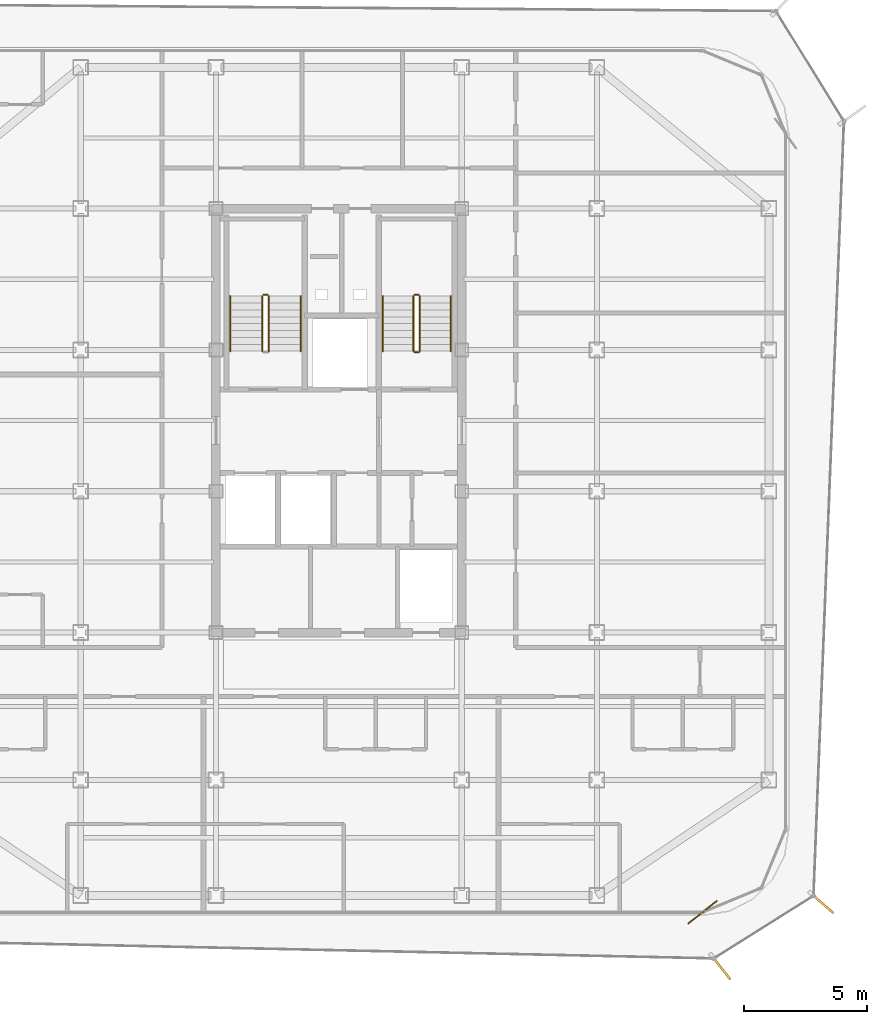
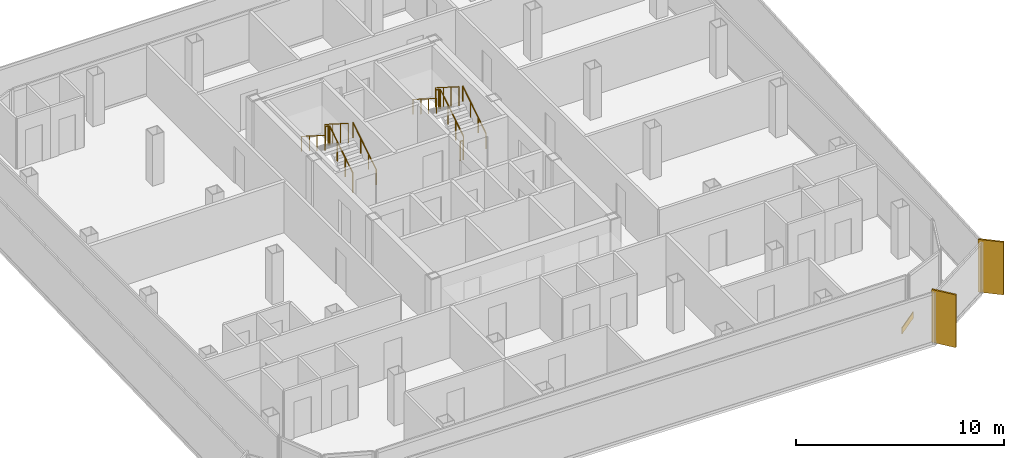
# One storey, part 14 of 15: 11 railings, 2 shading devices, 1 covering.
"""IFC4 building model written with IfcOpenShell, lengths in metres."""

import ifcopenshell
import ifcopenshell.guid

model = None  # the IFC model being written
_history = None  # IfcOwnerHistory: only IFC2X3 demands one
_inside = {}  # id of a spatial element -> (the spatial element, [elements in it])
_under = {}  # id of a project, library or spatial element -> (it, [spatial elements below it])
_declared = {}  # id of a project -> (the project, [libraries it declares])
_typed = {}  # id of a type object -> (the type object, [elements of that type])
_made_of = {}  # id of a material, layer set ... -> (it, [elements and type objects made of it])


def new_model(schema):
    """Start an empty IFC model of exactly this schema.

    Asked for "IFC4X3", IfcOpenShell would pick the latest addendum, in which some entities
    have other attributes; the version numbers below select the first issue.
    IFC2X3 requires an IfcOwnerHistory on every rooted entity: one is made here for all.
    """
    global model, _history
    if schema == "IFC4X3":
        model = ifcopenshell.file(schema_version=(4, 3, 0, 0))
    else:
        model = ifcopenshell.file(schema=schema)
    _inside.clear()
    _under.clear()
    _declared.clear()
    _typed.clear()
    _made_of.clear()
    _history = None
    if model.schema == "IFC2X3":
        org = make("IfcOrganization", Name="unknown")
        user = make(
            "IfcPersonAndOrganization",
            ThePerson=make("IfcPerson", FamilyName="unknown"),
            TheOrganization=org,
        )
        app = make(
            "IfcApplication",
            ApplicationDeveloper=org,
            Version="unknown",
            ApplicationFullName="unknown",
            ApplicationIdentifier="unknown",
        )
        _history = make(
            "IfcOwnerHistory",
            OwningUser=user,
            OwningApplication=app,
            ChangeAction="ADDED",
            CreationDate=0,
        )
    return model


def make(cls, **values):
    """One entity of the class cls with the attributes given. An attribute that is None is left unset."""
    return model.create_entity(
        cls, **{name: value for name, value in values.items() if value is not None}
    )


def rooted(cls, **values):
    """An entity with a GlobalId (a new one), such as an element, a storey or a relation."""
    return make(cls, GlobalId=ifcopenshell.guid.new(), OwnerHistory=_history, **values)


def si_unit(unit_type, name, prefix=None):
    """IfcSIUnit, for example si_unit("LENGTHUNIT", "METRE", prefix="MILLI")."""
    return make("IfcSIUnit", UnitType=unit_type, Prefix=prefix, Name=name)


def assignment(units):
    """IfcUnitAssignment: the units of a project."""
    return None if units is None else make("IfcUnitAssignment", Units=units)


def point(xyz):
    """IfcCartesianPoint."""
    return None if xyz is None else make("IfcCartesianPoint", Coordinates=xyz)


def direction(xyz):
    """IfcDirection."""
    return None if xyz is None else make("IfcDirection", DirectionRatios=xyz)


def frame(location, z_axis=None, x_axis=None):
    """IfcAxis2Placement3D, a coordinate frame: its origin and axes. An axis left out is left unset."""
    return make(
        "IfcAxis2Placement3D",
        Location=point(location),
        Axis=direction(z_axis),
        RefDirection=direction(x_axis),
    )


def frame_2d(location, x_axis=None):
    """IfcAxis2Placement2D, a coordinate frame in the plane: its origin and x axis."""
    return make(
        "IfcAxis2Placement2D", Location=point(location), RefDirection=direction(x_axis)
    )


def origin():
    """The frame at (0, 0, 0) with its axes left unset."""
    return frame((0.0, 0.0, 0.0))


def origin_2d():
    """The frame at (0, 0) in the plane with its x axis left unset."""
    return frame_2d((0.0, 0.0))


def place(relative_to, where):
    """IfcLocalPlacement: puts the frame where relative to a parent placement (None: the world)."""
    return make(
        "IfcLocalPlacement", PlacementRelTo=relative_to, RelativePlacement=where
    )


def context(
    kind, dimensions, precision=None, world=None, true_north=None, identifier=None
):
    """IfcGeometricRepresentationContext, for example the 3D "Model" context."""
    return make(
        "IfcGeometricRepresentationContext",
        ContextIdentifier=identifier,
        ContextType=kind,
        CoordinateSpaceDimension=dimensions,
        Precision=precision,
        WorldCoordinateSystem=world,
        TrueNorth=true_north,
    )


def subcontext(parent, identifier, kind, view, scale=None):
    """IfcGeometricRepresentationSubContext, for example "Body" below "Model"."""
    return make(
        "IfcGeometricRepresentationSubContext",
        ContextIdentifier=identifier,
        ContextType=kind,
        ParentContext=parent,
        TargetScale=scale,
        TargetView=view,
    )


def project(units=None, contexts=None):
    """IfcProject with its units and contexts."""
    return rooted(
        "IfcProject",
        Name="project",
        RepresentationContexts=contexts,
        UnitsInContext=assignment(units),
    )


def spatial(cls, under=None, at=None, **own):
    """A site, building, storey or space (cls), placed at a placement, below another one or the project."""
    s = rooted(cls, ObjectPlacement=at, **own)
    if under is not None:
        _under.setdefault(under.id(), (under, []))[1].append(s)
    return s


def profile(cls, at=None, kind="AREA", **sizes):
    """A parametric profile (cls). Its sizes go by their IFC names, for example OverallWidth=200.0."""
    return make(cls, ProfileType=kind, Position=at, **sizes)


def rectangle(**sizes):
    """IfcRectangleProfileDef."""
    return profile("IfcRectangleProfileDef", **sizes)


def circle(**sizes):
    """IfcCircleProfileDef."""
    return profile("IfcCircleProfileDef", **sizes)


def extrude(swept, where, along, depth):
    """IfcExtrudedAreaSolid: the profile swept, set in the frame where, extruded along a direction by depth."""
    return make(
        "IfcExtrudedAreaSolid",
        SweptArea=swept,
        Position=where,
        ExtrudedDirection=direction(along),
        Depth=depth,
    )


def shape(context_of_items, identifier, shape_type, items):
    """IfcShapeRepresentation: the items that make up one representation, for example the "Body"."""
    return make(
        "IfcShapeRepresentation",
        ContextOfItems=context_of_items,
        RepresentationIdentifier=identifier,
        RepresentationType=shape_type,
        Items=items,
    )


def source(mapping_origin, context_of_items, identifier, shape_type, items):
    """IfcRepresentationMap: a shape defined once, which mapped items show again and again."""
    return make(
        "IfcRepresentationMap",
        MappingOrigin=mapping_origin,
        MappedRepresentation=shape(context_of_items, identifier, shape_type, items),
    )


def transform(
    local_origin,
    x_axis=None,
    y_axis=None,
    z_axis=None,
    scale=None,
    scale2=None,
    scale3=None,
    uniform=True,
):
    """IfcCartesianTransformationOperator3D, or its non-uniform kind. x_axis, y_axis, z_axis: its Axis1, 2, 3."""
    if uniform:
        return make(
            "IfcCartesianTransformationOperator3D",
            Axis1=direction(x_axis),
            Axis2=direction(y_axis),
            LocalOrigin=point(local_origin),
            Scale=scale,
            Axis3=direction(z_axis),
        )
    return make(
        "IfcCartesianTransformationOperator3DnonUniform",
        Axis1=direction(x_axis),
        Axis2=direction(y_axis),
        LocalOrigin=point(local_origin),
        Scale=scale,
        Axis3=direction(z_axis),
        Scale2=scale2,
        Scale3=scale3,
    )


def mapped(mapping_source, mapping_target):
    """IfcMappedItem: shows the shape of a source again, moved by a transform."""
    return make(
        "IfcMappedItem", MappingSource=mapping_source, MappingTarget=mapping_target
    )


def material(Name=None, Category=None):
    """IfcMaterial."""
    return make("IfcMaterial", Name=Name, Category=Category)


def layer(
    of_material, thickness, ventilated=None, Name=None, Category=None, Priority=None
):
    """IfcMaterialLayer: one layer of a wall or slab, of a material (None: an air gap)."""
    return make(
        "IfcMaterialLayer",
        Material=of_material,
        LayerThickness=thickness,
        IsVentilated=ventilated,
        Name=Name,
        Category=Category,
        Priority=Priority,
    )


def layer_set(layers, Name=None):
    """IfcMaterialLayerSet."""
    return make("IfcMaterialLayerSet", MaterialLayers=layers, LayerSetName=Name)


def made_of(thing, what):
    """Note that an element or type object is made of a material, layer set ...; save() writes the relation."""
    if what is not None:
        _made_of.setdefault(what.id(), (what, []))[1].append(thing)
    return thing


def type_object(cls, material=None, **own):
    """A type object (cls), such as IfcWallType, which elements share."""
    return made_of(rooted(cls, **own), material)


def element(
    cls,
    number,
    at=None,
    inside=None,
    cuts=None,
    type_object=None,
    material=None,
    context=None,
    identifier="Body",
    shape_type=None,
    held_by="IfcProductDefinitionShape",
    body=None,
    shapes=None,
    **own,
):
    """One element of the class cls, such as IfcWall. Its Tag is "e" and its number.

    at: its placement. inside: the storey or other place that contains it. cuts: it is an
    opening in that element (IfcRelVoidsElement). A single representation is given by context,
    identifier, shape_type and body (its items); several are given by shapes. held_by: the class
    of the entity that holds the representations. save() writes the other relations.
    """
    e = rooted(cls, Tag="e%d" % number, ObjectPlacement=at, **own)
    if body is not None:
        shapes = [shape(context, identifier, shape_type, body)]
    if shapes is not None:
        e.Representation = make(held_by, Representations=shapes)
    if inside is not None:
        _inside.setdefault(inside.id(), (inside, []))[1].append(e)
    if cuts is not None:
        rooted(
            "IfcRelVoidsElement", RelatingBuildingElement=cuts, RelatedOpeningElement=e
        )
    if type_object is not None:
        _typed.setdefault(type_object.id(), (type_object, []))[1].append(e)
    return made_of(e, material)


def aggregate(whole, parts):
    """IfcRelAggregates: a whole, such as a stair, and the parts it consists of."""
    return rooted("IfcRelAggregates", RelatingObject=whole, RelatedObjects=parts)


def save(model, path):
    """Write the relations noted so far, then the file.

    IfcRelAggregates (storeys below a building ...), IfcRelContainedInSpatialStructure (elements
    in a storey), IfcRelDefinesByType, IfcRelAssociatesMaterial and IfcRelDeclares: one each for
    every whole, place, type object, material and project.
    """
    for whole, parts in _under.values():
        aggregate(whole, parts)
    for where, things in _inside.values():
        rooted(
            "IfcRelContainedInSpatialStructure",
            RelatedElements=things,
            RelatingStructure=where,
        )
    for kind, things in _typed.values():
        rooted("IfcRelDefinesByType", RelatedObjects=things, RelatingType=kind)
    for what, things in _made_of.values():
        rooted("IfcRelAssociatesMaterial", RelatedObjects=things, RelatingMaterial=what)
    for by, libraries in _declared.values():
        rooted("IfcRelDeclares", RelatingContext=by, RelatedDefinitions=libraries)
    model.write(path)


model = new_model("IFC4")

# Units and contexts
model_context = context("Model", 3, precision=1e-05, world=origin(), true_north=direction((0.0, 1.0)))
body_context = subcontext(model_context, "Body", "Model", "MODEL_VIEW")
ifc_project = project(units=[si_unit("LENGTHUNIT", "METRE"), si_unit("AREAUNIT", "SQUARE_METRE"), si_unit("VOLUMEUNIT", "CUBIC_METRE"), si_unit("PLANEANGLEUNIT", "RADIAN"), si_unit("MASSUNIT", "GRAM", prefix="KILO")], contexts=[model_context])

# Site, building, storey
site_placement = place(None, origin())
site = spatial("IfcSite", under=ifc_project, at=site_placement, CompositionType="ELEMENT")
building_placement = place(site_placement, origin())
building = spatial("IfcBuilding", under=site, at=building_placement, Name="Kolveth Station Tower", CompositionType="ELEMENT")
storey_placement = place(building_placement, frame((0.0, 0.0, 223.300048828125)))
storey = spatial("IfcBuildingStorey", under=building, at=storey_placement, Name="L63", CompositionType="ELEMENT", Elevation=223.300048828125)

# Railings
ifc_material_1 = material(Name="Painted Steel S355 balustrade", Category="steel")
railing_type_1 = type_object("IfcRailingType", Name="Guard_GR2", PredefinedType="BALUSTRADE", material=ifc_material_1)
railing_1_placement = place(storey_placement, frame((20.64990234375, 22.949951171875, 0.177734375)))
element("IfcRailing", 1, at=railing_1_placement, inside=storey, type_object=railing_type_1, Name="L63 ST1 stair guard 1", PredefinedType="BALUSTRADE", context=body_context, shape_type="SweptSolid", body=[
    extrude(circle(Radius=0.02392578125, at=origin_2d()), frame((0.0, 0.0, 1.1259765625), z_axis=(0.0, 0.8442293374, 0.53598211339), x_axis=(-1.0, 0.0, 0.0)), (0.0, 0.0, 1.0), 2.6533203125),
    extrude(circle(Radius=0.02099609375, at=origin_2d()), origin(), (0.0, 0.0, 1.0), 1.101806640625),
    extrude(circle(Radius=0.02099609375, at=origin_2d()), frame((0.0, 0.74658203125, 0.47412109375)), (0.0, 0.0, 1.0), 1.101806640625),
    extrude(circle(Radius=0.02099609375, at=origin_2d()), frame((0.0, 1.493408203125, 0.947998046875)), (0.0, 0.0, 1.0), 1.101806640625),
    extrude(circle(Radius=0.02099609375, at=origin_2d()), frame((0.0, 2.239990234375, 1.422119140625)), (0.0, 0.0, 1.0), 1.101806640625),
])
railing_2_placement = place(storey_placement, frame((20.60009765625, 25.239990234375, 1.599853515625)))
element("IfcRailing", 2, at=railing_2_placement, inside=storey, type_object=railing_type_1, Name="L63 ST1 stair guard 2", PredefinedType="BALUSTRADE", context=body_context, shape_type="SweptSolid", body=[
    extrude(circle(Radius=0.02392578125, at=origin_2d()), frame((0.0, 0.0, 1.1259765625), z_axis=(-1.0, 0.0, 0.0), x_axis=(0.0, -1.0, 0.0)), (0.0, 0.0, 1.0), 0.16015625),
    extrude(circle(Radius=0.02099609375, at=origin_2d()), origin(), (0.0, 0.0, 1.0), 1.101806640625),
    extrude(circle(Radius=0.02099609375, at=origin_2d()), frame((-0.16015625, 0.0, 0.0)), (0.0, 0.0, 1.0), 1.101806640625),
])
railing_3_placement = place(storey_placement, frame((20.389892578125, 25.18994140625, 1.77783203125)))
element("IfcRailing", 3, at=railing_3_placement, inside=storey, type_object=railing_type_1, Name="L63 ST1 stair guard 3", PredefinedType="BALUSTRADE", context=body_context, shape_type="SweptSolid", body=[
    extrude(circle(Radius=0.02392578125, at=origin_2d()), frame((0.0, 0.0, 1.1259765625), z_axis=(0.0, -0.8442293374, 0.53598211339), x_axis=(1.0, 0.0, 0.0)), (0.0, 0.0, 1.0), 2.6533203125),
    extrude(circle(Radius=0.02099609375, at=origin_2d()), origin(), (0.0, 0.0, 1.0), 1.101806640625),
    extrude(circle(Radius=0.02099609375, at=origin_2d()), frame((0.0, -0.74658203125, 0.47412109375)), (0.0, 0.0, 1.0), 1.101806640625),
    extrude(circle(Radius=0.02099609375, at=origin_2d()), frame((0.0, -1.493408203125, 0.947998046875)), (0.0, 0.0, 1.0), 1.101806640625),
    extrude(circle(Radius=0.02099609375, at=origin_2d()), frame((0.0, -2.239990234375, 1.422119140625)), (0.0, 0.0, 1.0), 1.101806640625),
])
railing_4_placement = place(storey_placement, frame((26.800048828125, 22.949951171875, 0.177734375)))
element("IfcRailing", 4, at=railing_4_placement, inside=storey, type_object=railing_type_1, Name="L63 ST2 stair guard 1", PredefinedType="BALUSTRADE", context=body_context, shape_type="SweptSolid", body=[
    extrude(circle(Radius=0.02392578125, at=origin_2d()), frame((0.0, 0.0, 1.1259765625), z_axis=(0.0, 0.8442293374, 0.53598211339), x_axis=(-1.0, 0.0, 0.0)), (0.0, 0.0, 1.0), 2.6533203125),
    extrude(circle(Radius=0.02099609375, at=origin_2d()), origin(), (0.0, 0.0, 1.0), 1.101806640625),
    extrude(circle(Radius=0.02099609375, at=origin_2d()), frame((0.0, 0.74658203125, 0.47412109375)), (0.0, 0.0, 1.0), 1.101806640625),
    extrude(circle(Radius=0.02099609375, at=origin_2d()), frame((0.0, 1.493408203125, 0.947998046875)), (0.0, 0.0, 1.0), 1.101806640625),
    extrude(circle(Radius=0.02099609375, at=origin_2d()), frame((0.0, 2.239990234375, 1.422119140625)), (0.0, 0.0, 1.0), 1.101806640625),
])
railing_5_placement = place(storey_placement, frame((26.75, 25.239990234375, 1.599853515625)))
element("IfcRailing", 5, at=railing_5_placement, inside=storey, type_object=railing_type_1, Name="L63 ST2 stair guard 2", PredefinedType="BALUSTRADE", context=body_context, shape_type="SweptSolid", body=[
    extrude(circle(Radius=0.02392578125, at=origin_2d()), frame((0.0, 0.0, 1.1259765625), z_axis=(-1.0, 0.0, 0.0), x_axis=(0.0, -1.0, 0.0)), (0.0, 0.0, 1.0), 0.159912109375),
    extrude(circle(Radius=0.02099609375, at=origin_2d()), origin(), (0.0, 0.0, 1.0), 1.101806640625),
    extrude(circle(Radius=0.02099609375, at=origin_2d()), frame((-0.159912109375, 0.0, 0.0)), (0.0, 0.0, 1.0), 1.101806640625),
])
railing_6_placement = place(storey_placement, frame((26.5400390625, 25.18994140625, 1.77783203125)))
element("IfcRailing", 6, at=railing_6_placement, inside=storey, type_object=railing_type_1, Name="L63 ST2 stair guard 3", PredefinedType="BALUSTRADE", context=body_context, shape_type="SweptSolid", body=[
    extrude(circle(Radius=0.02392578125, at=origin_2d()), frame((0.0, 0.0, 1.1259765625), z_axis=(0.0, -0.8442293374, 0.53598211339), x_axis=(1.0, 0.0, 0.0)), (0.0, 0.0, 1.0), 2.6533203125),
    extrude(circle(Radius=0.02099609375, at=origin_2d()), origin(), (0.0, 0.0, 1.0), 1.101806640625),
    extrude(circle(Radius=0.02099609375, at=origin_2d()), frame((0.0, -0.74658203125, 0.47412109375)), (0.0, 0.0, 1.0), 1.101806640625),
    extrude(circle(Radius=0.02099609375, at=origin_2d()), frame((0.0, -1.493408203125, 0.947998046875)), (0.0, 0.0, 1.0), 1.101806640625),
    extrude(circle(Radius=0.02099609375, at=origin_2d()), frame((0.0, -2.239990234375, 1.422119140625)), (0.0, 0.0, 1.0), 1.101806640625),
])
railing_7_placement = place(storey_placement, frame((26.75, 22.89990234375, 0.0)))
element("IfcRailing", 7, at=railing_7_placement, inside=storey, type_object=railing_type_1, Name="L63 ST2 stair guard 4", PredefinedType="BALUSTRADE", context=body_context, shape_type="SweptSolid", body=[
    extrude(circle(Radius=0.02392578125, at=origin_2d()), frame((0.0, 0.0, 1.1259765625), z_axis=(-1.0, 0.0, 0.0), x_axis=(0.0, -1.0, 0.0)), (0.0, 0.0, 1.0), 0.159912109375),
    extrude(circle(Radius=0.02099609375, at=origin_2d()), origin(), (0.0, 0.0, 1.0), 1.101806640625),
    extrude(circle(Radius=0.02099609375, at=origin_2d()), frame((-0.159912109375, 0.0, 0.0)), (0.0, 0.0, 1.0), 1.101806640625),
])
ifc_material_2 = material(Name="Brushed stainless steel", Category="steel")
railing_type_2 = type_object("IfcRailingType", Name="Handrail_HR1", PredefinedType="HANDRAIL", material=ifc_material_2)
railing_8_placement = place(storey_placement, frame((21.949951171875, 22.949951171875, 0.177734375)))
element("IfcRailing", 8, at=railing_8_placement, inside=storey, type_object=railing_type_2, Name="L63 ST1 stair handrail 1", PredefinedType="HANDRAIL", context=body_context, shape_type="SweptSolid", body=[
    extrude(circle(Radius=0.02392578125, at=origin_2d()), frame((0.0, 0.0, 0.8759765625), z_axis=(0.0, 0.8442293374, 0.53598211339), x_axis=(-1.0, 0.0, 0.0)), (0.0, 0.0, 1.0), 2.6533203125),
    extrude(circle(Radius=0.02099609375, at=origin_2d()), origin(), (0.0, 0.0, 1.0), 0.851806640625),
    extrude(circle(Radius=0.02099609375, at=origin_2d()), frame((0.0, 0.74658203125, 0.47412109375)), (0.0, 0.0, 1.0), 0.851806640625),
    extrude(circle(Radius=0.02099609375, at=origin_2d()), frame((0.0, 1.493408203125, 0.947998046875)), (0.0, 0.0, 1.0), 0.851806640625),
    extrude(circle(Radius=0.02099609375, at=origin_2d()), frame((0.0, 2.239990234375, 1.422119140625)), (0.0, 0.0, 1.0), 0.851806640625),
])
railing_9_placement = place(storey_placement, frame((19.090087890625, 25.18994140625, 1.77783203125)))
element("IfcRailing", 9, at=railing_9_placement, inside=storey, type_object=railing_type_2, Name="L63 ST1 stair handrail 2", PredefinedType="HANDRAIL", context=body_context, shape_type="SweptSolid", body=[
    extrude(circle(Radius=0.02392578125, at=origin_2d()), frame((0.0, 0.0, 0.8759765625), z_axis=(0.0, -0.8442293374, 0.53598211339), x_axis=(1.0, 0.0, 0.0)), (0.0, 0.0, 1.0), 2.6533203125),
    extrude(circle(Radius=0.02099609375, at=origin_2d()), origin(), (0.0, 0.0, 1.0), 0.851806640625),
    extrude(circle(Radius=0.02099609375, at=origin_2d()), frame((0.0, -0.74658203125, 0.47412109375)), (0.0, 0.0, 1.0), 0.851806640625),
    extrude(circle(Radius=0.02099609375, at=origin_2d()), frame((0.0, -1.493408203125, 0.947998046875)), (0.0, 0.0, 1.0), 0.851806640625),
    extrude(circle(Radius=0.02099609375, at=origin_2d()), frame((0.0, -2.239990234375, 1.422119140625)), (0.0, 0.0, 1.0), 0.851806640625),
])
railing_10_placement = place(storey_placement, frame((28.050048828125, 22.949951171875, 0.177734375)))
element("IfcRailing", 10, at=railing_10_placement, inside=storey, type_object=railing_type_2, Name="L63 ST2 stair handrail 1", PredefinedType="HANDRAIL", context=body_context, shape_type="SweptSolid", body=[
    extrude(circle(Radius=0.02392578125, at=origin_2d()), frame((0.0, 0.0, 0.8759765625), z_axis=(0.0, 0.8442293374, 0.53598211339), x_axis=(-1.0, 0.0, 0.0)), (0.0, 0.0, 1.0), 2.6533203125),
    extrude(circle(Radius=0.02099609375, at=origin_2d()), origin(), (0.0, 0.0, 1.0), 0.851806640625),
    extrude(circle(Radius=0.02099609375, at=origin_2d()), frame((0.0, 0.74658203125, 0.47412109375)), (0.0, 0.0, 1.0), 0.851806640625),
    extrude(circle(Radius=0.02099609375, at=origin_2d()), frame((0.0, 1.493408203125, 0.947998046875)), (0.0, 0.0, 1.0), 0.851806640625),
    extrude(circle(Radius=0.02099609375, at=origin_2d()), frame((0.0, 2.239990234375, 1.422119140625)), (0.0, 0.0, 1.0), 0.851806640625),
])
railing_11_placement = place(storey_placement, frame((25.2900390625, 25.18994140625, 1.77783203125)))
element("IfcRailing", 11, at=railing_11_placement, inside=storey, type_object=railing_type_2, Name="L63 ST2 stair handrail 2", PredefinedType="HANDRAIL", context=body_context, shape_type="SweptSolid", body=[
    extrude(circle(Radius=0.02392578125, at=origin_2d()), frame((0.0, 0.0, 0.8759765625), z_axis=(0.0, -0.8442293374, 0.53598211339), x_axis=(1.0, 0.0, 0.0)), (0.0, 0.0, 1.0), 2.6533203125),
    extrude(circle(Radius=0.02099609375, at=origin_2d()), origin(), (0.0, 0.0, 1.0), 0.851806640625),
    extrude(circle(Radius=0.02099609375, at=origin_2d()), frame((0.0, -0.74658203125, 0.47412109375)), (0.0, 0.0, 1.0), 0.851806640625),
    extrude(circle(Radius=0.02099609375, at=origin_2d()), frame((0.0, -1.493408203125, 0.947998046875)), (0.0, 0.0, 1.0), 0.851806640625),
    extrude(circle(Radius=0.02099609375, at=origin_2d()), frame((0.0, -2.239990234375, 1.422119140625)), (0.0, 0.0, 1.0), 0.851806640625),
])

# Shading devices
ifc_material_3 = material(Name="Black anodized aluminium 6063-T6", Category="aluminium")
shading_device_type = type_object("IfcShadingDeviceType", Name="FIN_VF1", PredefinedType="USERDEFINED", material=ifc_material_3)
shared_shape_1 = source(origin(), body_context, "Body", "SweptSolid", [
    extrude(rectangle(XDim=1.25, YDim=0.090087890625, at=origin_2d()), origin(), (0.0, 0.0, 1.0), 3.10009765625),
])
for number, where, z_axis, x_axis, name in (
    (12, (39.0419921875, -2.117919921875, 0.0), (0.0, 0.0, 1.0), (0.618134041883, -0.786072710546, 0.0), "L63 Dark-Aluminium Solar Fin 1"),
    (13, (43.160888671875, 0.492919921875, 0.0), (0.0, 0.0, 1.0), (0.7534486472, -0.657506757404, 0.0), "L63 Dark-Aluminium Solar Fin 2"),
):
    element("IfcShadingDevice", number, at=place(storey_placement, frame(where, z_axis=z_axis, x_axis=x_axis)), inside=storey, type_object=shading_device_type, Name=name, ObjectType="FIN", PredefinedType="USERDEFINED", context=body_context, shape_type="MappedRepresentation", body=[
        mapped(shared_shape_1, transform((0.0, 0.0, 0.0), x_axis=(1.0, 0.0, 0.0), y_axis=(0.0, 1.0, 0.0), z_axis=(0.0, 0.0, 1.0), scale=1.0)),
    ])

# Covering
ifc_material_4 = material(Name="Charcoal anodized aluminium spandrel cladding", Category="aluminium")
ifc_layer = layer(ifc_material_4, 0.044921875)
ifc_layer_set = layer_set([ifc_layer], Name="Charcoal anodized aluminium spandrel cladding")
covering_type = type_object("IfcCoveringType", Name="Clad_CD1", PredefinedType="CLADDING", material=ifc_layer_set)
shared_shape_2 = source(origin(), body_context, "Body", "SweptSolid", [
    extrude(rectangle(XDim=1.5, YDim=0.044921875, at=origin_2d()), origin(), (0.0, 0.0, 1.0), 0.360107421875),
])
covering_placement = place(storey_placement, frame((38.300048828125, 0.1201171875, 0.0), z_axis=(0.0, 0.0, 1.0), x_axis=(0.786072710546, 0.618134041883, 0.0)))
element("IfcCovering", 14, at=covering_placement, inside=storey, type_object=covering_type, Name="L63 Spandrel Edge Cladding 1", PredefinedType="CLADDING", context=body_context, shape_type="MappedRepresentation", body=[
    mapped(shared_shape_2, transform((0.0, 0.0, 0.0), x_axis=(1.0, 0.0, 0.0), y_axis=(0.0, 1.0, 0.0), z_axis=(0.0, 0.0, 1.0), scale=1.0)),
])

save(model, "model.ifc")
